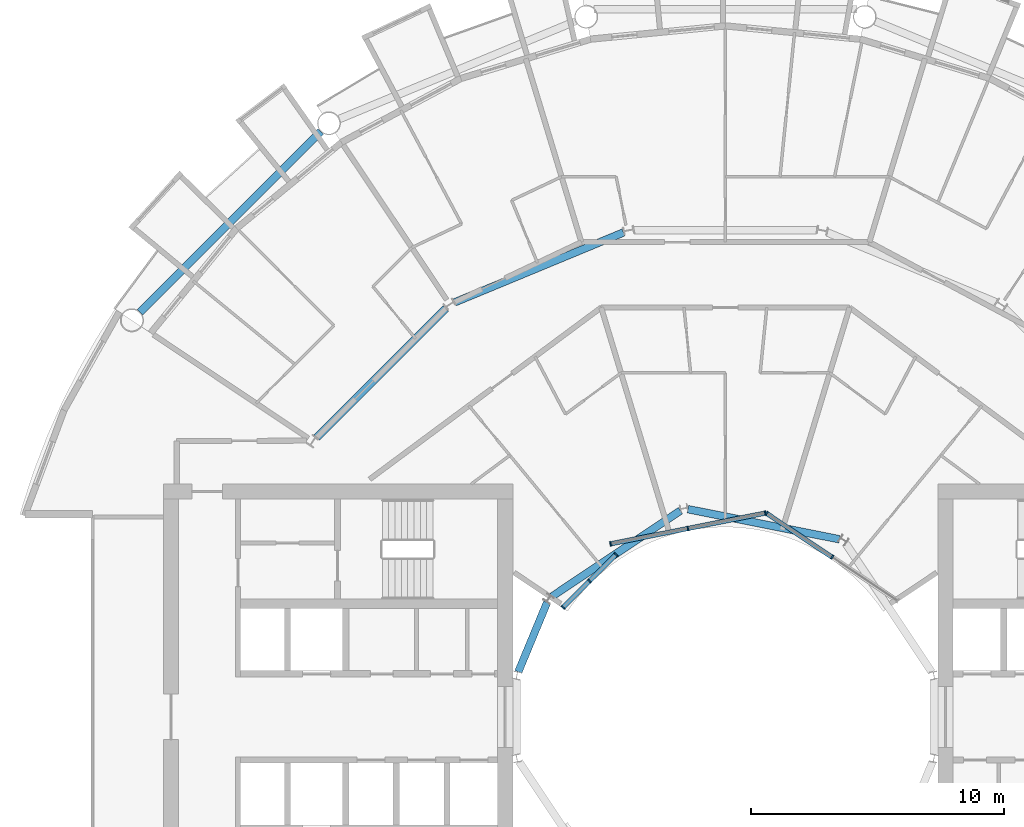
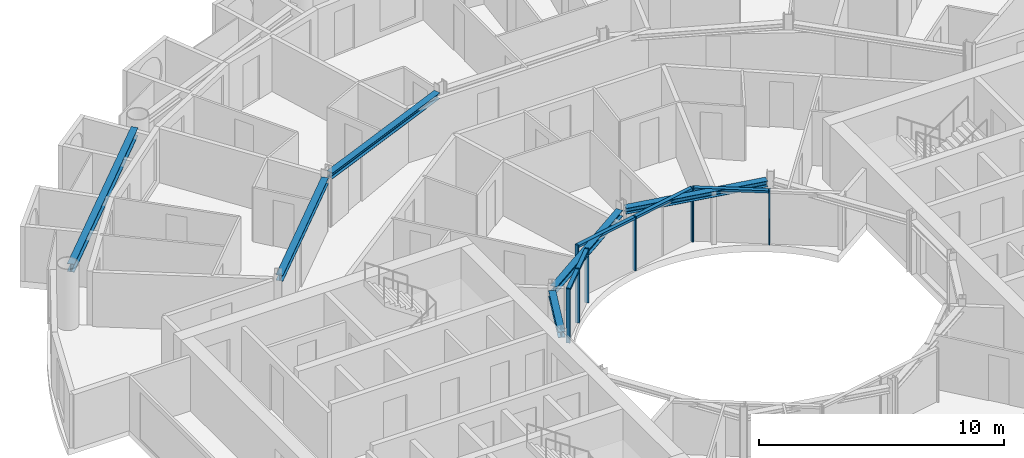
# One storey, part 8 of 27: 13 members, 6 beams, 3 elements without a shape of their own.
"""IFC4 building model written with IfcOpenShell, lengths in metres."""

from ifc_helpers import new_model, si_unit, direction, frame, origin, origin_2d, place, context, subcontext, project, spatial, rectangle, i_section, extrude, material, layer, layer_set, material_profile, profile_set, type_object, element, aggregate, save


model = new_model("IFC4")

# Units and contexts
model_context = context("Model", 3, precision=1e-05, world=origin(), true_north=direction((0.0, 1.0)))
body_context = subcontext(model_context, "Body", "Model", "MODEL_VIEW")
ifc_project = project(units=[si_unit("LENGTHUNIT", "METRE"), si_unit("AREAUNIT", "SQUARE_METRE"), si_unit("VOLUMEUNIT", "CUBIC_METRE"), si_unit("PLANEANGLEUNIT", "RADIAN"), si_unit("MASSUNIT", "GRAM", prefix="KILO")], contexts=[model_context])

# Site, building, storey
site_placement = place(None, origin())
site = spatial("IfcSite", under=ifc_project, at=site_placement, CompositionType="ELEMENT")
building_placement = place(site_placement, origin())
building = spatial("IfcBuilding", under=site, at=building_placement, Name="Maasbend Ring Residences", CompositionType="ELEMENT")
storey_placement = place(building_placement, frame((0.0, 0.0, 117.75)))
storey = spatial("IfcBuildingStorey", under=building, at=storey_placement, Name="L33", CompositionType="ELEMENT", Elevation=117.75)

# Curtain wall, members
ifc_material_1 = material(Name="Aluminium and clear glass", Category="aluminium")
ifc_layer = layer(ifc_material_1, 0.179931640625)
ifc_layer_set = layer_set([ifc_layer], Name="CW-W")
curtain_wall_type = type_object("IfcCurtainWallType", Name="CW-W", PredefinedType="NOTDEFINED", material=ifc_layer_set)
curtain_wall_1_placement = place(storey_placement, origin())
curtain_wall_1 = element("IfcCurtainWall", 1, at=curtain_wall_1_placement, inside=storey, type_object=curtain_wall_type, Name="Well curtain wall N1", PredefinedType="NOTDEFINED")
ifc_material_2 = material(Name="Aluminium 6063-T6", Category="aluminium")
ifc_material_profile_1 = material_profile(ifc_material_2, rectangle(XDim=0.179931640625, YDim=0.06005859375, at=origin_2d()), Name="AL 180x60")
ifc_profile_set_1 = profile_set([ifc_material_profile_1], Name="Aluminium 6063-T6")
member_type_1 = type_object("IfcMemberType", Name="CWM-W", PredefinedType="MULLION", material=ifc_profile_set_1)
member_1_placement = place(storey_placement, frame((4.216796875, 6.310791015625, 0.0), z_axis=(0.0, 0.0, 1.0), x_axis=(-0.55557023302, -0.831469612303, 0.0)))
member_1 = element("IfcMember", 2, at=member_1_placement, type_object=member_type_1, Name="Mullion well face", PredefinedType="MULLION", context=body_context, shape_type="SweptSolid", body=[
    extrude(rectangle(XDim=0.179931640625, YDim=0.06005859375, at=origin_2d()), origin(), (0.0, 0.0, 1.0), 2.699951171875),
])
member_2_placement = place(storey_placement, frame((1.627685546875, 8.040771484375, 0.0), z_axis=(0.0, 0.0, 1.0), x_axis=(-0.55557023302, -0.831469612303, 0.0)))
member_2 = element("IfcMember", 3, at=member_2_placement, type_object=member_type_1, Name="Mullion well face", PredefinedType="MULLION", context=body_context, shape_type="SweptSolid", body=[
    extrude(rectangle(XDim=0.179931640625, YDim=0.06005859375, at=origin_2d()), origin(), (0.0, 0.0, 1.0), 2.699951171875),
])

curtain_wall_2_placement = place(storey_placement, origin())
curtain_wall_2 = element("IfcCurtainWall", 4, at=curtain_wall_2_placement, inside=storey, type_object=curtain_wall_type, Name="Well curtain wall N2", PredefinedType="NOTDEFINED")
member_3_placement = place(storey_placement, frame((1.5732421875, 8.0517578125, 0.0), z_axis=(0.0, 0.0, 1.0), x_axis=(0.195090322016, -0.980785280403, 0.0)))
member_3 = element("IfcMember", 5, at=member_3_placement, type_object=member_type_1, Name="Mullion well face", PredefinedType="MULLION", context=body_context, shape_type="SweptSolid", body=[
    extrude(rectangle(XDim=0.179931640625, YDim=0.06005859375, at=origin_2d()), origin(), (0.0, 0.0, 1.0), 2.699951171875),
])
member_4_placement = place(storey_placement, frame((-1.480712890625, 7.444091796875, 0.0), z_axis=(0.0, 0.0, 1.0), x_axis=(0.195090322016, -0.980785280403, 0.0)))
member_4 = element("IfcMember", 6, at=member_4_placement, type_object=member_type_1, Name="Mullion well face", PredefinedType="MULLION", context=body_context, shape_type="SweptSolid", body=[
    extrude(rectangle(XDim=0.179931640625, YDim=0.06005859375, at=origin_2d()), origin(), (0.0, 0.0, 1.0), 2.699951171875),
])
member_5_placement = place(storey_placement, frame((-4.53466796875, 6.836669921875, 0.0), z_axis=(0.0, 0.0, 1.0), x_axis=(0.195090322016, -0.980785280403, 0.0)))
member_5 = element("IfcMember", 7, at=member_5_placement, type_object=member_type_1, Name="Mullion well face", PredefinedType="MULLION", context=body_context, shape_type="SweptSolid", body=[
    extrude(rectangle(XDim=0.179931640625, YDim=0.06005859375, at=origin_2d()), origin(), (0.0, 0.0, 1.0), 2.699951171875),
])

curtain_wall_3_placement = place(storey_placement, origin())
curtain_wall_3 = element("IfcCurtainWall", 8, at=curtain_wall_3_placement, inside=storey, type_object=curtain_wall_type, Name="Well curtain wall N3", PredefinedType="NOTDEFINED")
member_6_placement = place(storey_placement, frame((-4.320556640625, 6.413330078125, 0.0), z_axis=(0.0, 0.0, 1.0), x_axis=(0.707106781187, -0.707106781187, 0.0)))
member_6 = element("IfcMember", 9, at=member_6_placement, type_object=member_type_1, Name="Mullion well face", PredefinedType="MULLION", context=body_context, shape_type="SweptSolid", body=[
    extrude(rectangle(XDim=0.179931640625, YDim=0.06005859375, at=origin_2d()), origin(), (0.0, 0.0, 1.0), 2.699951171875),
])
member_7_placement = place(storey_placement, frame((-5.366943359375, 5.366943359375, 0.0), z_axis=(0.0, 0.0, 1.0), x_axis=(0.707106781187, -0.707106781187, 0.0)))
member_7 = element("IfcMember", 10, at=member_7_placement, type_object=member_type_1, Name="Mullion well face", PredefinedType="MULLION", context=body_context, shape_type="SweptSolid", body=[
    extrude(rectangle(XDim=0.179931640625, YDim=0.06005859375, at=origin_2d()), origin(), (0.0, 0.0, 1.0), 2.699951171875),
])
member_8_placement = place(storey_placement, frame((-6.413330078125, 4.320556640625, 0.0), z_axis=(0.0, 0.0, 1.0), x_axis=(0.707106781187, -0.707106781187, 0.0)))
member_8 = element("IfcMember", 11, at=member_8_placement, type_object=member_type_1, Name="Mullion well face", PredefinedType="MULLION", context=body_context, shape_type="SweptSolid", body=[
    extrude(rectangle(XDim=0.179931640625, YDim=0.06005859375, at=origin_2d()), origin(), (0.0, 0.0, 1.0), 2.699951171875),
])

# Member
ifc_material_3 = material(Name="Aluminium 6063-T6", Category="aluminium")
ifc_material_profile_2 = material_profile(ifc_material_3, rectangle(XDim=0.179931640625, YDim=0.1201171875, at=origin_2d()), Name="AL 180x120")
ifc_profile_set_2 = profile_set([ifc_material_profile_2], Name="Aluminium 6063-T6")
member_type_2 = type_object("IfcMemberType", Name="CWT-W", PredefinedType="USERDEFINED", material=ifc_profile_set_2)
member_9_placement = place(storey_placement, frame((4.19189453125, 6.32763671875, 2.639892578125), z_axis=(-0.831496422459, 0.555530106689, 0.0), x_axis=(-0.555530106689, -0.831496422459, 0.0)))
member_9 = element("IfcMember", 12, at=member_9_placement, type_object=member_type_2, Name="Transom well face", ObjectType="TRANSOM", PredefinedType="USERDEFINED", context=body_context, shape_type="SweptSolid", body=[
    extrude(rectangle(XDim=0.179931640625, YDim=0.1201171875, at=origin_2d()), origin(), (0.0, 0.0, 1.0), 3.053955078125),
])

aggregate(curtain_wall_1, [member_1, member_2, member_9])

member_10_placement = place(storey_placement, frame((1.5439453125, 8.0458984375, 2.639892578125), z_axis=(-0.980776956105, -0.195132166424, 0.0), x_axis=(0.195132166424, -0.980776956105, 0.0)))
member_10 = element("IfcMember", 13, at=member_10_placement, type_object=member_type_2, Name="Transom well face", ObjectType="TRANSOM", PredefinedType="USERDEFINED", context=body_context, shape_type="SweptSolid", body=[
    extrude(rectangle(XDim=0.179931640625, YDim=0.1201171875, at=origin_2d()), origin(), (0.0, 0.0, 1.0), 3.053955078125),
])

member_11_placement = place(storey_placement, frame((-1.51025390625, 7.438232421875, 2.639892578125), z_axis=(-0.980789210404, -0.19507056353, 0.0), x_axis=(0.19507056353, -0.980789210404, 0.0)))
member_11 = element("IfcMember", 14, at=member_11_placement, type_object=member_type_2, Name="Transom well face", ObjectType="TRANSOM", PredefinedType="USERDEFINED", context=body_context, shape_type="SweptSolid", body=[
    extrude(rectangle(XDim=0.179931640625, YDim=0.1201171875, at=origin_2d()), origin(), (0.0, 0.0, 1.0), 3.0537109375),
])

aggregate(curtain_wall_2, [member_3, member_4, member_5, member_10, member_11])

member_12_placement = place(storey_placement, frame((-4.341796875, 6.39208984375, 2.639892578125), z_axis=(-0.707106781187, -0.707106781187, 0.0), x_axis=(0.707106781187, -0.707106781187, 0.0)))
member_12 = element("IfcMember", 15, at=member_12_placement, type_object=member_type_2, Name="Transom well face", ObjectType="TRANSOM", PredefinedType="USERDEFINED", context=body_context, shape_type="SweptSolid", body=[
    extrude(rectangle(XDim=0.179931640625, YDim=0.1201171875, at=origin_2d()), origin(), (0.0, 0.0, 1.0), 1.419677734375),
])

member_13_placement = place(storey_placement, frame((-5.38818359375, 5.345703125, 2.639892578125), z_axis=(-0.707106781187, -0.707106781187, 0.0), x_axis=(0.707106781187, -0.707106781187, 0.0)))
member_13 = element("IfcMember", 16, at=member_13_placement, type_object=member_type_2, Name="Transom well face", ObjectType="TRANSOM", PredefinedType="USERDEFINED", context=body_context, shape_type="SweptSolid", body=[
    extrude(rectangle(XDim=0.179931640625, YDim=0.1201171875, at=origin_2d()), origin(), (0.0, 0.0, 1.0), 1.419677734375),
])

aggregate(curtain_wall_3, [member_6, member_7, member_8, member_12, member_13])

# Beams
ifc_material_4 = material(Name="Steel S355J2", Category="steel")
ifc_material_profile_3 = material_profile(ifc_material_4, i_section(OverallWidth=0.300048828125, OverallDepth=0.2900390625, WebThickness=0.008544921875, FlangeThickness=0.013916015625, FilletRadius=0.027099609375, at=origin_2d()), Name="HEA 300")
ifc_profile_set_3 = profile_set([ifc_material_profile_3], Name="Steel S355J2")
beam_type_1 = type_object("IfcBeamType", Name="Corridor ring beam HEA 300", PredefinedType="BEAM", material=ifc_profile_set_3)
for number, where, z_axis, x_axis, name in (
    (17, (-4.02734375, 19.13916015625, 2.554931640625), (-0.923877693919, -0.382687871089, 0.0), (0.382687871089, -0.923877693919, 0.0), "Corridor ring beam"),
    (18, (-11.044921875, 16.14111328125, 2.554931640625), (-0.707106781187, -0.707106781187, 0.0), (0.707106781187, -0.707106781187, 0.0), "Corridor ring beam"),
):
    element("IfcBeam", number, at=place(storey_placement, frame(where, z_axis=z_axis, x_axis=x_axis)), inside=storey, type_object=beam_type_1, Name=name, PredefinedType="BEAM", context=body_context, shape_type="SweptSolid", body=[
        extrude(i_section(OverallWidth=0.300048828125, OverallDepth=0.2900390625, WebThickness=0.008544921875, FlangeThickness=0.013916015625, FilletRadius=0.027099609375, at=origin_2d()), origin(), (0.0, 0.0, 1.0), 7.20703125),
    ])
ifc_material_5 = material(Name="Steel S355J2", Category="steel")
ifc_material_profile_4 = material_profile(ifc_material_5, i_section(OverallWidth=0.300048828125, OverallDepth=0.39990234375, WebThickness=0.013427734375, FlangeThickness=0.02392578125, FilletRadius=0.027099609375, at=origin_2d()), Name="HEB 400")
ifc_profile_set_4 = profile_set([ifc_material_profile_4], Name="Steel S355J2")
beam_type_2 = type_object("IfcBeamType", Name="Spandrel ring beam HEB 400", PredefinedType="SPANDREL", material=ifc_profile_set_4)
beam_1_placement = place(storey_placement, frame((-15.990234375, 23.124267578125, 2.5), z_axis=(-0.707106781187, -0.707106781187, 0.0), x_axis=(0.707106781187, -0.707106781187, 0.0)))
element("IfcBeam", 19, at=beam_1_placement, inside=storey, type_object=beam_type_2, Name="Spandrel ring beam", PredefinedType="SPANDREL", context=body_context, shape_type="SweptSolid", body=[
    extrude(i_section(OverallWidth=0.300048828125, OverallDepth=0.39990234375, WebThickness=0.013427734375, FlangeThickness=0.02392578125, FilletRadius=0.027099609375, at=origin_2d()), origin(), (0.0, 0.0, 1.0), 10.089111328125),
])
ifc_material_6 = material(Name="Steel S355J2", Category="steel")
ifc_material_profile_5 = material_profile(ifc_material_6, i_section(OverallWidth=0.300048828125, OverallDepth=0.2900390625, WebThickness=0.008544921875, FlangeThickness=0.013916015625, FilletRadius=0.027099609375, at=origin_2d()), Name="HEA 300")
ifc_profile_set_5 = profile_set([ifc_material_profile_5], Name="Steel S355J2")
beam_type_3 = type_object("IfcBeamType", Name="Well edge beam HEA 300", PredefinedType="BEAM", material=ifc_profile_set_5)
beam_2_placement = place(storey_placement, frame((4.507568359375, 7.01611328125, 2.554931640625), z_axis=(-0.980792381321, 0.195054619896, 0.0), x_axis=(-0.195054619896, -0.980792381321, 0.0)))
element("IfcBeam", 20, at=beam_2_placement, inside=storey, type_object=beam_type_3, Name="Well edge beam", PredefinedType="BEAM", context=body_context, shape_type="SweptSolid", body=[
    extrude(i_section(OverallWidth=0.300048828125, OverallDepth=0.2900390625, WebThickness=0.008544921875, FlangeThickness=0.013916015625, FilletRadius=0.027099609375, at=origin_2d()), origin(), (0.0, 0.0, 1.0), 6.104248046875),
])
beam_3_placement = place(storey_placement, frame((-1.773681640625, 8.1484375, 2.554931640625), z_axis=(-0.831477628137, -0.555558236289, 0.0), x_axis=(0.555558236289, -0.831477628137, 0.0)))
element("IfcBeam", 21, at=beam_3_placement, inside=storey, type_object=beam_type_3, Name="Well edge beam", PredefinedType="BEAM", context=body_context, shape_type="SweptSolid", body=[
    extrude(i_section(OverallWidth=0.300048828125, OverallDepth=0.2900390625, WebThickness=0.008544921875, FlangeThickness=0.013916015625, FilletRadius=0.027099609375, at=origin_2d()), origin(), (0.0, 0.0, 1.0), 6.1044921875),
])
beam_4_placement = place(storey_placement, frame((-7.042724609375, 4.525390625, 2.554931640625), z_axis=(-0.382765370874, -0.923845588212, 0.0), x_axis=(0.923845588212, -0.382765370874, 0.0)))
element("IfcBeam", 22, at=beam_4_placement, inside=storey, type_object=beam_type_3, Name="Well edge beam", PredefinedType="BEAM", context=body_context, shape_type="SweptSolid", body=[
    extrude(i_section(OverallWidth=0.300048828125, OverallDepth=0.2900390625, WebThickness=0.008544921875, FlangeThickness=0.013916015625, FilletRadius=0.027099609375, at=origin_2d()), origin(), (0.0, 0.0, 1.0), 2.9716796875),
])

save(model, "model.ifc")
